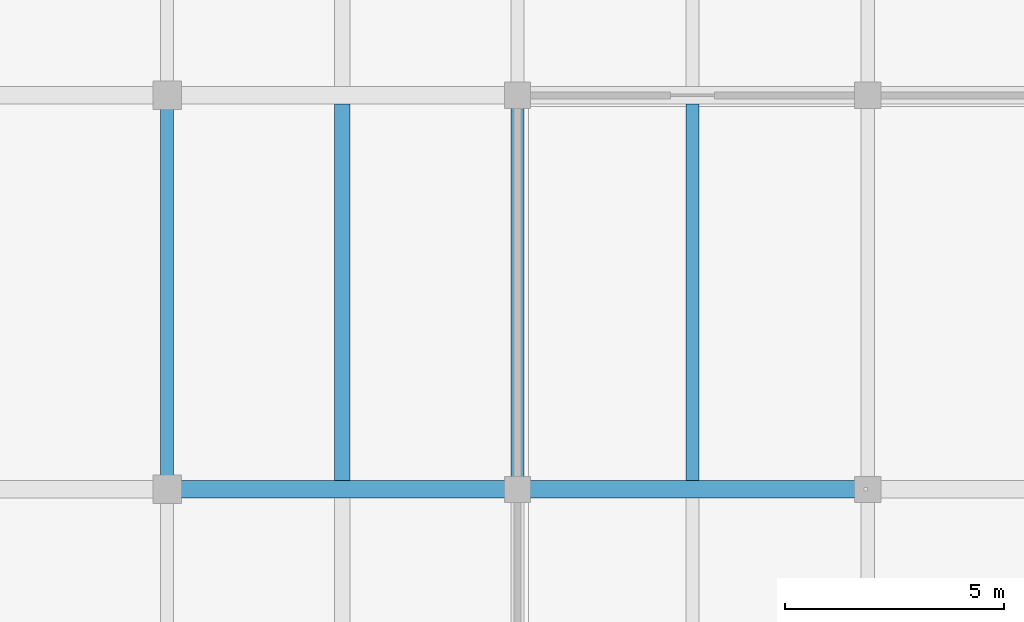
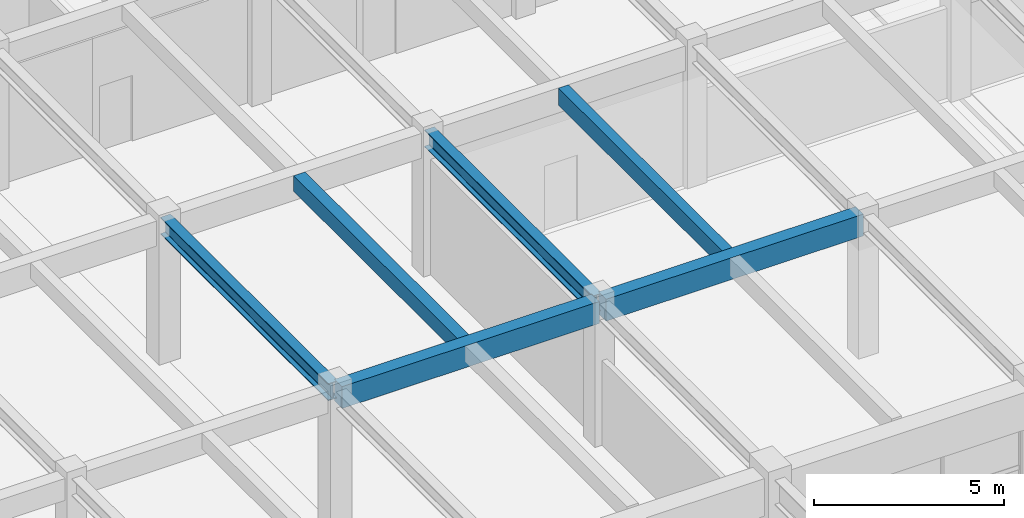
# One storey, part 63 of 144: 6 beams.
"""IFC4 building model written with IfcOpenShell, lengths in metres."""

from ifc_helpers import new_model, si_unit, direction, frame, origin, origin_2d, place, context, subcontext, project, spatial, rectangle, i_section, extrude, material, material_profile, profile_set, type_object, element, save


model = new_model("IFC4")

# Units and contexts
model_context = context("Model", 3, precision=1e-05, world=origin(), true_north=direction((0.0, 1.0)))
body_context = subcontext(model_context, "Body", "Model", "MODEL_VIEW")
ifc_project = project(units=[si_unit("LENGTHUNIT", "METRE"), si_unit("AREAUNIT", "SQUARE_METRE"), si_unit("VOLUMEUNIT", "CUBIC_METRE"), si_unit("PLANEANGLEUNIT", "RADIAN"), si_unit("MASSUNIT", "GRAM", prefix="KILO")], contexts=[model_context])

# Site, building, storey
site_placement = place(None, origin())
site = spatial("IfcSite", under=ifc_project, at=site_placement, CompositionType="ELEMENT")
building_placement = place(site_placement, origin())
building = spatial("IfcBuilding", under=site, at=building_placement, Name="Varnabhumi Central Station", CompositionType="ELEMENT")
storey_placement = place(building_placement, frame((0.0, 0.0, 4.800048828125)))
storey = spatial("IfcBuildingStorey", under=building, at=storey_placement, Name="L01", CompositionType="ELEMENT", Elevation=4.800048828125)

# Beams
ifc_material_1 = material(Name="Concrete M40", Category="concrete")
ifc_material_profile_1 = material_profile(ifc_material_1, rectangle(XDim=0.300048828125, YDim=0.550048828125, at=origin_2d()), Name="Concrete M40", Category="concrete")
ifc_profile_set_1 = profile_set([ifc_material_profile_1], Name="Concrete M40")
beam_type_1 = type_object("IfcBeamType", Name="BM-RC-300x550", PredefinedType="JOIST", material=ifc_profile_set_1)
beam_1_placement = place(storey_placement, frame((108.0, 89.199951171875, 4.27490234375), z_axis=(0.0, 1.0, 0.0), x_axis=(-1.0, 0.0, 0.0)))
element("IfcBeam", 1, at=beam_1_placement, inside=storey, type_object=beam_type_1, Name="Secondary Joist L01-14/15:L-M", PredefinedType="JOIST", context=body_context, shape_type="SweptSolid", body=[
    extrude(rectangle(XDim=0.300048828125, YDim=0.550048828125, at=origin_2d()), origin(), (0.0, 0.0, 1.0), 8.60009765625),
])
ifc_material_profile_2 = material_profile(ifc_material_1, rectangle(XDim=0.35009765625, YDim=0.5, at=origin_2d()), Name="Concrete M40", Category="concrete")
ifc_profile_set_2 = profile_set([ifc_material_profile_2], Name="Concrete M40")
beam_type_2 = type_object("IfcBeamType", Name="BM-RC-350x500", PredefinedType="JOIST", material=ifc_profile_set_2)
beam_2_placement = place(storey_placement, frame((100.0, 89.199951171875, 4.300048828125), z_axis=(0.0, 1.0, 0.0), x_axis=(-1.0, 0.0, 0.0)))
element("IfcBeam", 2, at=beam_2_placement, inside=storey, type_object=beam_type_2, Name="Secondary Joist L01-13/14:L-M", PredefinedType="JOIST", context=body_context, shape_type="SweptSolid", body=[
    extrude(rectangle(XDim=0.35009765625, YDim=0.5, at=origin_2d()), origin(), (0.0, 0.0, 1.0), 8.60009765625),
])
ifc_material_profile_3 = material_profile(ifc_material_1, rectangle(XDim=0.39990234375, YDim=0.699951171875, at=origin_2d()), Name="Concrete M40", Category="concrete")
ifc_profile_set_3 = profile_set([ifc_material_profile_3], Name="Concrete M40")
beam_type_3 = type_object("IfcBeamType", Name="BM-RC-400x700", PredefinedType="BEAM", material=ifc_profile_set_3)
for number, where, z_axis, x_axis, name in (
    (3, (96.10009765625, 89.0, 4.199951171875), (1.0, 0.0, 0.0), (0.0, 1.0, 0.0), "Beam L01-L:13-14"),
    (4, (104.10009765625, 89.0, 4.199951171875), (1.0, 0.0, 0.0), (0.0, 1.0, 0.0), "Beam L01-L:14-15"),
):
    element("IfcBeam", number, at=place(storey_placement, frame(where, z_axis=z_axis, x_axis=x_axis)), inside=storey, type_object=beam_type_3, Name=name, PredefinedType="BEAM", context=body_context, shape_type="SweptSolid", body=[
        extrude(rectangle(XDim=0.39990234375, YDim=0.699951171875, at=origin_2d()), origin(), (0.0, 0.0, 1.0), 7.7998046875),
    ])
ifc_material_2 = material(Name="Structural steel E350", Category="steel")
ifc_material_profile_4 = material_profile(ifc_material_2, i_section(OverallWidth=0.300048828125, OverallDepth=0.550048828125, WebThickness=0.014892578125, FlangeThickness=0.029052734375, FilletRadius=0.027099609375, at=origin_2d()), Name="Structural steel E350", Category="steel")
ifc_profile_set_4 = profile_set([ifc_material_profile_4], Name="Structural steel E350")
beam_type_4 = type_object("IfcBeamType", Name="BM-STL-WPB550", PredefinedType="BEAM", material=ifc_profile_set_4)
for number, where, z_axis, x_axis, name in (
    (5, (96.0, 89.10009765625, 4.27490234375), (0.0, 1.0, 0.0), (-1.0, 0.0, 0.0), "Beam L01-13:L-M"),
    (6, (104.0, 89.10009765625, 4.27490234375), (0.0, 1.0, 0.0), (-1.0, 0.0, 0.0), "Beam L01-14:L-M"),
):
    element("IfcBeam", number, at=place(storey_placement, frame(where, z_axis=z_axis, x_axis=x_axis)), inside=storey, type_object=beam_type_4, Name=name, PredefinedType="BEAM", context=body_context, shape_type="SweptSolid", body=[
        extrude(i_section(OverallWidth=0.300048828125, OverallDepth=0.550048828125, WebThickness=0.014892578125, FlangeThickness=0.029052734375, FilletRadius=0.027099609375, at=origin_2d()), origin(), (0.0, 0.0, 1.0), 8.7998046875),
    ])

save(model, "model.ifc")
